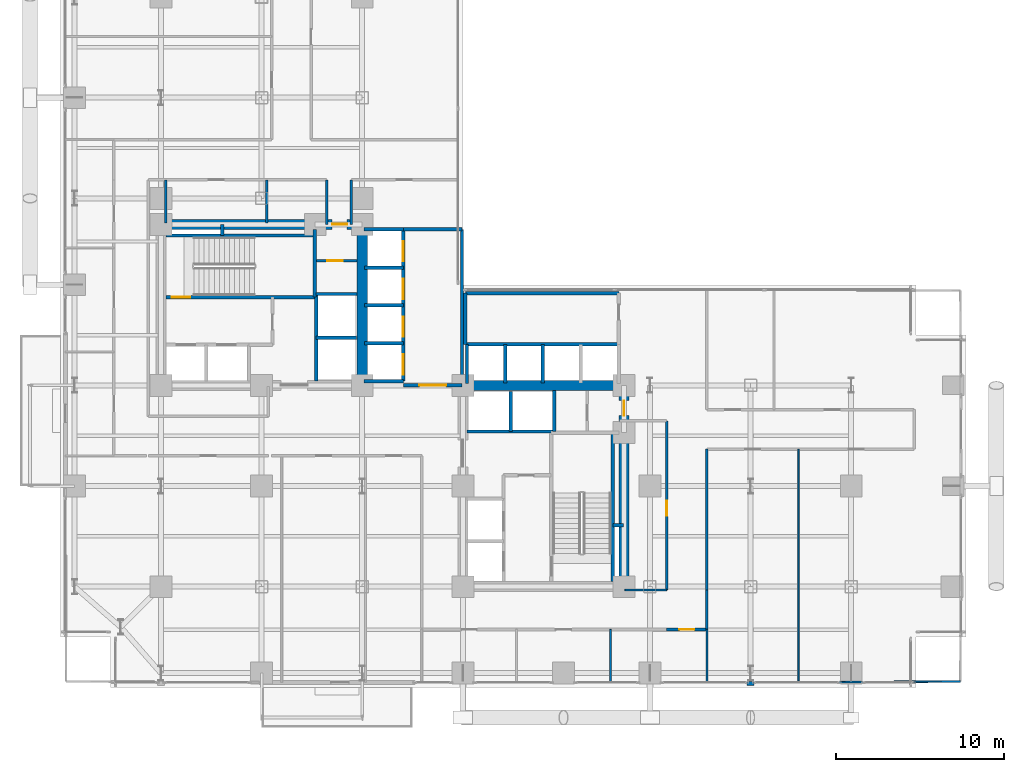
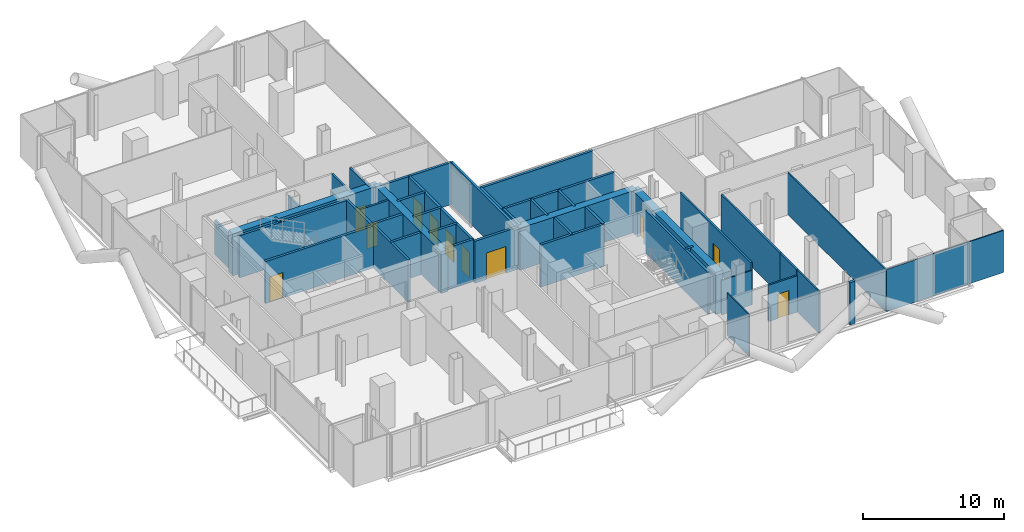
# One storey, part 21 of 25: 46 walls, 11 doors, 11 openings.
"""IFC4 building model written with IfcOpenShell, lengths in metres."""

from ifc_helpers import new_model, si_unit, direction, frame, frame_2d, origin, place, context, subcontext, project, spatial, rectangle, extrude, material, layer, layer_set, type_object, element, fill, save


model = new_model("IFC4")

# Units and contexts
model_context = context("Model", 3, precision=1e-05, world=origin(), true_north=direction((0.0, 1.0)))
body_context = subcontext(model_context, "Body", "Model", "MODEL_VIEW")
ifc_project = project(units=[si_unit("LENGTHUNIT", "METRE"), si_unit("AREAUNIT", "SQUARE_METRE"), si_unit("VOLUMEUNIT", "CUBIC_METRE"), si_unit("PLANEANGLEUNIT", "RADIAN"), si_unit("MASSUNIT", "GRAM", prefix="KILO"), si_unit("THERMODYNAMICTEMPERATUREUNIT", "KELVIN"), si_unit("POWERUNIT", "WATT")], contexts=[model_context])

# Site, building, storey
site_placement = place(None, origin())
site = spatial("IfcSite", under=ifc_project, at=site_placement, CompositionType="ELEMENT")
building_placement = place(site_placement, origin())
building = spatial("IfcBuilding", under=site, at=building_placement, Name="Svarakhadi Broadcast Tower", CompositionType="ELEMENT")
storey_placement = place(building_placement, frame((0.0, 0.0, 36.300048828125)))
storey = spatial("IfcBuildingStorey", under=building, at=storey_placement, Name="L07", CompositionType="ELEMENT", Elevation=36.300048828125)

# Walls
ifc_material_1 = material(Name="Concrete C40/50 (IS 456 M50)", Category="concrete")
ifc_layer_1 = layer(ifc_material_1, 0.239990234375)
ifc_layer_set_1 = layer_set([ifc_layer_1], Name="Concrete C40/50 (IS 456 M50)")
wall_type_1 = type_object("IfcWallType", Name="Wall_Ext_240", PredefinedType="SOLIDWALL", material=ifc_layer_set_1)
wall_1_placement = place(storey_placement, frame((41.364990234375, 0.239990234375, 0.0), z_axis=(0.0, 0.0, 1.0), x_axis=(-1.0, 0.0, 0.0)))
element("IfcWall", 1, at=wall_1_placement, inside=storey, type_object=wall_type_1, Name="L07 Perimeter Bronze Spandrel Closure Wall 05", PredefinedType="SOLIDWALL", context=body_context, shape_type="SweptSolid", body=[
    extrude(rectangle(XDim=0.429931640625, YDim=0.239990234375, at=frame_2d((0.21484375, 0.0))), origin(), (0.0, 0.0, 1.0), 3.64990234375),
])
ifc_layer_2 = layer(ifc_material_1, 0.199951171875)
ifc_layer_set_2 = layer_set([ifc_layer_2], Name="Concrete C40/50 (IS 456 M50)")
wall_type_2 = type_object("IfcWallType", Name="Wall_Fire_200", PredefinedType="SOLIDWALL", material=ifc_layer_set_2)
for number, where, z_axis, x_axis, name in (
    (2, (9.659912109375, 26.93994140625, 0.0), (0.0, 0.0, 1.0), (0.0, 1.0, 0.0), "L07 Wet Riser Shaft East Wall"),
    (3, (32.93994140625, 9.659912109375, 0.0), (0.0, 0.0, 1.0), (1.0, 0.0, 0.0), "L07 HV Busduct Riser Shaft North Wall"),
):
    element("IfcWall", number, at=place(storey_placement, frame(where, z_axis=z_axis, x_axis=x_axis)), inside=storey, type_object=wall_type_2, Name=name, PredefinedType="SOLIDWALL", context=body_context, shape_type="SweptSolid", body=[
        extrude(rectangle(XDim=0.64013671875, YDim=0.199951171875, at=frame_2d((0.320068359375, 0.0))), origin(), (0.0, 0.0, 1.0), 3.64990234375),
    ])
ifc_material_2 = material(Name="Fire-Rated Moisture-Resistant Gypsum Board Partition", Category="gypsum")
ifc_layer_3 = layer(ifc_material_2, 0.10009765625)
ifc_layer_set_3 = layer_set([ifc_layer_3], Name="Fire-Rated Moisture-Resistant Gypsum Board Partition")
wall_type_3 = type_object("IfcWallType", Name="Wall_Part_100", PredefinedType="PARTITIONING", material=ifc_layer_set_3)
wall_2_placement = place(storey_placement, frame((44.0, 0.300048828125, 0.0), z_axis=(0.0, 0.0, 1.0), x_axis=(0.0, 1.0, 0.0)))
element("IfcWall", 4, at=wall_2_placement, inside=storey, type_object=wall_type_3, Name="L07 Waterfront International News Desk Wall", PredefinedType="PARTITIONING", context=body_context, shape_type="SweptSolid", body=[
    extrude(rectangle(XDim=13.89990234375, YDim=0.10009765625, at=frame_2d((6.949951171875, 0.0))), origin(), (0.0, 0.0, 1.0), 3.64990234375),
])
wall_3_placement = place(storey_placement, frame((44.0, 0.300048828125, 0.0), z_axis=(0.0, 0.0, 1.0), x_axis=(0.99998655059, 0.005186389791, 0.0)))
element("IfcWall", 5, at=wall_3_placement, inside=storey, type_object=wall_type_3, Name="L07 Wire Service Server Room Wall", PredefinedType="PARTITIONING", context=body_context, shape_type="SweptSolid", body=[
    extrude(rectangle(XDim=9.650146484375, YDim=0.10009765625, at=frame_2d((4.8251953125, 0.0))), origin(), (0.0, 0.0, 1.0), 3.64990234375),
])
for number, where, z_axis, x_axis, name in (
    (6, (32.800048828125, 0.300048828125, 0.0), (0.0, 0.0, 1.0), (0.0, 1.0, 0.0), "L07 Media Legal Review Office Wall"),
    (7, (38.550048828125, 0.300048828125, 0.0), (0.0, 0.0, 1.0), (0.0, 1.0, 0.0), "L07 Broadcast Staff Refreshment Pantry Wall"),
):
    element("IfcWall", number, at=place(storey_placement, frame(where, z_axis=z_axis, x_axis=x_axis)), inside=storey, type_object=wall_type_3, Name=name, PredefinedType="PARTITIONING", context=body_context, shape_type="SweptSolid", body=[
        extrude(rectangle(XDim=3.14990234375, YDim=0.10009765625, at=frame_2d((1.574951171875, 0.0))), origin(), (0.0, 0.0, 1.0), 3.64990234375),
    ])
wall_4_placement = place(storey_placement, frame((33.64990234375, 5.800048828125, 0.0), z_axis=(0.0, 0.0, 1.0), x_axis=(1.0, 0.0, 0.0)))
element("IfcWall", 8, at=wall_4_placement, inside=storey, type_object=wall_type_3, Name="L07 Live Feed Monitoring Studio Wall", PredefinedType="PARTITIONING", context=body_context, shape_type="SweptSolid", body=[
    extrude(rectangle(XDim=2.5, YDim=0.10009765625, at=frame_2d((1.25, 0.0))), origin(), (0.0, 0.0, 1.0), 2.991943359375),
])

# Wall, opening, door
ifc_material_3 = material(Name="Autoclaved Aerated Concrete Blockwork 150 mm", Category="masonry")
ifc_layer_4 = layer(ifc_material_3, 0.14990234375)
ifc_layer_set_4 = layer_set([ifc_layer_4], Name="Autoclaved Aerated Concrete Blockwork 150 mm")
wall_type_4 = type_object("IfcWallType", Name="Wall_Part_150", PredefinedType="PARTITIONING", material=ifc_layer_set_4)
wall_5_placement = place(storey_placement, frame((15.280029296875, 25.43994140625, 0.0), z_axis=(0.0, 0.0, 1.0), x_axis=(1.0, 0.0, 0.0)))
wall_5 = element("IfcWall", 9, at=wall_5_placement, inside=storey, type_object=wall_type_4, Name="L07 West Core Dual Store Wall", PredefinedType="PARTITIONING", context=body_context, shape_type="SweptSolid", body=[
    extrude(rectangle(XDim=2.419921875, YDim=0.14990234375, at=frame_2d((1.2099609375, 0.0))), origin(), (0.0, 0.0, 1.0), 3.64990234375),
])
opening_1_placement = place(wall_5_placement, frame((0.64990234375, 0.0, 0.0)))
opening_1 = element("IfcOpeningElement", 10, at=opening_1_placement, cuts=wall_5, Name="Opening D-04", PredefinedType="OPENING", context=body_context, shape_type="SweptSolid", body=[
    extrude(rectangle(XDim=0.89990234375, YDim=2.14990234375, at=frame_2d((0.449951171875, 1.074951171875))), frame((0.0, 0.0849609375, 0.0), z_axis=(0.0, -1.0, 0.0), x_axis=(1.0, 0.0, 0.0)), (0.0, 0.0, 1.0), 0.169921875),
])
ifc_material_4 = material(Name="Galvanised Powder-Coated Fire-Rated Steel Leaf", Category="steel")
door_type_1 = type_object("IfcDoorType", Name="Door_Fire_D04", OperationType="SINGLE_SWING_RIGHT", PredefinedType="DOOR", material=ifc_material_4)
door_1_placement = place(opening_1_placement, origin())
door_1 = element("IfcDoor", 11, at=door_1_placement, inside=storey, type_object=door_type_1, Name="L07 West Core Store B Door", OperationType="SINGLE_SWING_RIGHT", OverallHeight=2.14990234375, OverallWidth=0.89990234375, PredefinedType="DOOR", context=body_context, shape_type="SweptSolid", body=[
    extrude(rectangle(XDim=0.89990234375, YDim=2.14990234375, at=frame_2d((0.449951171875, 1.074951171875))), frame((0.0, 0.02490234375, 0.0), z_axis=(0.0, -1.0, 0.0), x_axis=(1.0, 0.0, 0.0)), (0.0, 0.0, 1.0), 0.050048828125),
])
fill(opening_1, door_1)

wall_6_placement = place(storey_placement, frame((36.14990234375, 5.800048828125, 0.0), z_axis=(0.0, 0.0, 1.0), x_axis=(0.0, 1.0, 0.0)))
wall_6 = element("IfcWall", 12, at=wall_6_placement, inside=storey, type_object=wall_type_4, Name="L07 Broadcast Corridor Wall", PredefinedType="PARTITIONING", context=body_context, shape_type="SweptSolid", body=[
    extrude(rectangle(XDim=10.079833984375, YDim=0.14990234375, at=frame_2d((5.0400390625, 0.0))), origin(), (0.0, 0.0, 1.0), 3.64990234375),
])
opening_2_placement = place(wall_6_placement, frame((4.429931640625, 0.0, 0.0)))
opening_2 = element("IfcOpeningElement", 13, at=opening_2_placement, cuts=wall_6, Name="Opening D-14", PredefinedType="OPENING", context=body_context, shape_type="SweptSolid", body=[
    extrude(rectangle(XDim=0.89990234375, YDim=2.10009765625, at=frame_2d((0.449951171875, 1.050048828125))), frame((0.0, 0.0849609375, 0.0), z_axis=(0.0, -1.0, 0.0), x_axis=(1.0, 0.0, 0.0)), (0.0, 0.0, 1.0), 0.169921875),
])
ifc_material_5 = material(Name="Solid-Core Teak Veneer Acoustic Timber Leaf", Category="wood")
door_type_2 = type_object("IfcDoorType", Name="Door_Int_D14", OperationType="SINGLE_SWING_LEFT", PredefinedType="DOOR", material=ifc_material_5)
door_2_placement = place(opening_2_placement, origin())
door_2 = element("IfcDoor", 14, at=door_2_placement, inside=storey, type_object=door_type_2, Name="L07 Live Feed Monitoring Studio Door", OperationType="SINGLE_SWING_LEFT", OverallHeight=2.10009765625, OverallWidth=0.89990234375, PredefinedType="DOOR", context=body_context, shape_type="SweptSolid", body=[
    extrude(rectangle(XDim=0.89990234375, YDim=2.10009765625, at=frame_2d((0.449951171875, 1.050048828125))), frame((0.0, 0.02490234375, 0.0), z_axis=(0.0, -1.0, 0.0), x_axis=(1.0, 0.0, 0.0)), (0.0, 0.0, 1.0), 0.050048828125),
])
fill(opening_2, door_2)

# Walls
wall_7_placement = place(storey_placement, frame((38.550048828125, 14.199951171875, 0.0), z_axis=(0.0, 0.0, 1.0), x_axis=(0.0, -1.0, 0.0)))
element("IfcWall", 15, at=wall_7_placement, inside=storey, type_object=wall_type_4, Name="L07 Broadcast Corridor Wall", PredefinedType="PARTITIONING", context=body_context, shape_type="SweptSolid", body=[
    extrude(rectangle(XDim=8.39990234375, YDim=0.14990234375, at=frame_2d((4.199951171875, 0.0))), origin(), (0.0, 0.0, 1.0), 3.64990234375),
])
wall_8_placement = place(storey_placement, frame((38.550048828125, 5.800048828125, 0.0), z_axis=(0.0, 0.0, 1.0), x_axis=(0.0, -1.0, 0.0)))
element("IfcWall", 16, at=wall_8_placement, inside=storey, type_object=wall_type_4, Name="L07 Broadcast Corridor Wall", PredefinedType="PARTITIONING", context=body_context, shape_type="SweptSolid", body=[
    extrude(rectangle(XDim=2.35009765625, YDim=0.14990234375, at=frame_2d((1.175048828125, 0.0))), origin(), (0.0, 0.0, 1.0), 3.64990234375),
])

# Wall, opening, door
wall_9_placement = place(storey_placement, frame((38.550048828125, 3.449951171875, 0.0), z_axis=(0.0, 0.0, 1.0), x_axis=(-1.0, 0.0, 0.0)))
wall_9 = element("IfcWall", 17, at=wall_9_placement, inside=storey, type_object=wall_type_4, Name="L07 Broadcast Corridor Wall", PredefinedType="PARTITIONING", context=body_context, shape_type="SweptSolid", body=[
    extrude(rectangle(XDim=2.400146484375, YDim=0.14990234375, at=frame_2d((1.2001953125, 0.0))), origin(), (0.0, 0.0, 1.0), 3.141845703125),
])
opening_3_placement = place(wall_9_placement, frame((0.75, 0.0, 0.0)))
opening_3 = element("IfcOpeningElement", 18, at=opening_3_placement, cuts=wall_9, Name="Opening D-14", PredefinedType="OPENING", context=body_context, shape_type="SweptSolid", body=[
    extrude(rectangle(XDim=0.89990234375, YDim=2.10009765625, at=frame_2d((0.449951171875, 1.050048828125))), frame((0.0, 0.0849609375, 0.0), z_axis=(0.0, -1.0, 0.0), x_axis=(1.0, 0.0, 0.0)), (0.0, 0.0, 1.0), 0.169921875),
])
door_3_placement = place(opening_3_placement, origin())
door_3 = element("IfcDoor", 19, at=door_3_placement, inside=storey, type_object=door_type_2, Name="L07 Broadcast Staff Refreshment Pantry Door", OperationType="SINGLE_SWING_LEFT", OverallHeight=2.10009765625, OverallWidth=0.89990234375, PredefinedType="DOOR", context=body_context, shape_type="SweptSolid", body=[
    extrude(rectangle(XDim=0.89990234375, YDim=2.10009765625, at=frame_2d((0.449951171875, 1.050048828125))), frame((0.0, 0.02490234375, 0.0), z_axis=(0.0, -1.0, 0.0), x_axis=(1.0, 0.0, 0.0)), (0.0, 0.0, 1.0), 0.050048828125),
])
fill(opening_3, door_3)

# Walls
for number, where, z_axis, x_axis, name in (
    (20, (17.35009765625, 30.25, 0.0), (0.0, 0.0, 1.0), (0.0, -1.0, 0.0), "L07 Broadcast Corridor Wall"),
    (21, (15.8798828125, 27.580078125, 0.0), (0.0, 0.0, 1.0), (0.0, 1.0, 0.0), "L07 Broadcast Corridor Wall"),
):
    element("IfcWall", number, at=place(storey_placement, frame(where, z_axis=z_axis, x_axis=x_axis)), inside=storey, type_object=wall_type_4, Name=name, PredefinedType="PARTITIONING", context=body_context, shape_type="SweptSolid", body=[
        extrude(rectangle(XDim=2.669921875, YDim=0.14990234375, at=frame_2d((1.3349609375, 0.0))), origin(), (0.0, 0.0, 1.0), 3.64990234375),
    ])
for number, where, z_axis, x_axis, name in (
    (22, (6.300048828125, 27.679931640625, 0.0), (0.0, 0.0, 1.0), (0.0, 1.0, 0.0), "L07 Accessible Toilet WC Wall"),
    (23, (12.300048828125, 27.679931640625, 0.0), (0.0, 0.0, 1.0), (0.0, 1.0, 0.0), "L07 Accessible Toilet WC Wall"),
):
    element("IfcWall", number, at=place(storey_placement, frame(where, z_axis=z_axis, x_axis=x_axis)), inside=storey, type_object=wall_type_4, Name=name, PredefinedType="PARTITIONING", context=body_context, shape_type="SweptSolid", body=[
        extrude(rectangle(XDim=2.570068359375, YDim=0.14990234375, at=frame_2d((1.28515625, 0.0))), origin(), (0.0, 0.0, 1.0), 2.991943359375),
    ])

# Wall, opening, door
ifc_material_6 = material(Name="Concrete C50/60 (IS 456 M60)", Category="concrete")
ifc_layer_5 = layer(ifc_material_6, 0.199951171875)
ifc_layer_set_5 = layer_set([ifc_layer_5], Name="Concrete C50/60 (IS 456 M60)")
wall_type_5 = type_object("IfcWallType", Name="Wall_Shear_200", PredefinedType="SHEAR", material=ifc_layer_set_5)
wall_10_placement = place(storey_placement, frame((6.300048828125, 23.260009765625, 0.0), z_axis=(0.0, 0.0, 1.0), x_axis=(1.0, 0.0, 0.0)))
wall_10 = element("IfcWall", 24, at=wall_10_placement, inside=storey, type_object=wall_type_5, Name="L07 Stair ST-01 South RC Shaft Wall", PredefinedType="SHEAR", context=body_context, shape_type="SweptSolid", body=[
    extrude(rectangle(XDim=8.8798828125, YDim=0.199951171875, at=frame_2d((4.43994140625, 0.0))), origin(), (0.0, 0.0, 1.0), 3.64990234375),
])
opening_4_placement = place(wall_10_placement, frame((0.35009765625, 0.0, 0.0)))
opening_4 = element("IfcOpeningElement", 25, at=opening_4_placement, cuts=wall_10, Name="Opening D-01", PredefinedType="OPENING", context=body_context, shape_type="SweptSolid", body=[
    extrude(rectangle(XDim=1.10009765625, YDim=2.199951171875, at=frame_2d((0.550048828125, 1.10009765625))), frame((0.0, 0.10986328125, 0.0), z_axis=(0.0, -1.0, 0.0), x_axis=(1.0, 0.0, 0.0)), (0.0, 0.0, 1.0), 0.219970703125),
])
door_type_3 = type_object("IfcDoorType", Name="Door_Stair_D01", OperationType="SINGLE_SWING_LEFT", PredefinedType="DOOR", material=ifc_material_4)
door_4_placement = place(opening_4_placement, origin())
door_4 = element("IfcDoor", 26, at=door_4_placement, inside=storey, type_object=door_type_3, Name="L07 Protected Exit Stair ST-01 Fire Door", OperationType="SINGLE_SWING_LEFT", OverallHeight=2.199951171875, OverallWidth=1.10009765625, PredefinedType="DOOR", context=body_context, shape_type="SweptSolid", body=[
    extrude(rectangle(XDim=1.10009765625, YDim=2.199951171875, at=frame_2d((0.550048828125, 1.10009765625))), frame((0.0, 0.02490234375, 0.0), z_axis=(0.0, -1.0, 0.0), x_axis=(1.0, 0.0, 0.0)), (0.0, 0.0, 1.0), 0.050048828125),
])
fill(opening_4, door_4)

# Walls
wall_11_placement = place(storey_placement, frame((6.300048828125, 26.93994140625, 0.0), z_axis=(0.0, 0.0, 1.0), x_axis=(1.0, 0.0, 0.0)))
element("IfcWall", 27, at=wall_11_placement, inside=storey, type_object=wall_type_5, Name="L07 Stair ST-01 North RC Shaft Wall", PredefinedType="SHEAR", context=body_context, shape_type="SweptSolid", body=[
    extrude(rectangle(XDim=8.8798828125, YDim=0.199951171875, at=frame_2d((4.43994140625, 0.0))), origin(), (0.0, 0.0, 1.0), 3.64990234375),
])
wall_12_placement = place(storey_placement, frame((15.179931640625, 23.260009765625, 0.0), z_axis=(0.0, 0.0, 1.0), x_axis=(0.0, 1.0, 0.0)))
element("IfcWall", 28, at=wall_12_placement, inside=storey, type_object=wall_type_5, Name="L07 Stair ST-01 East RC Shaft Wall", PredefinedType="SHEAR", context=body_context, shape_type="SweptSolid", body=[
    extrude(rectangle(XDim=4.0400390625, YDim=0.199951171875, at=frame_2d((2.02001953125, 0.0))), origin(), (0.0, 0.0, 1.0), 3.64990234375),
])
wall_13_placement = place(storey_placement, frame((32.93994140625, 6.300048828125, 0.0), z_axis=(0.0, 0.0, 1.0), x_axis=(0.0, 1.0, 0.0)))
element("IfcWall", 29, at=wall_13_placement, inside=storey, type_object=wall_type_5, Name="L07 Stair ST-02 East RC Shaft Wall", PredefinedType="SHEAR", context=body_context, shape_type="SweptSolid", body=[
    extrude(rectangle(XDim=8.8798828125, YDim=0.199951171875, at=frame_2d((4.43994140625, 0.0))), origin(), (0.0, 0.0, 1.0), 3.64990234375),
])
wall_14_placement = place(storey_placement, frame((15.25, 18.25, 0.0), z_axis=(0.0, 0.0, 1.0), x_axis=(0.0, 1.0, 0.0)))
element("IfcWall", 30, at=wall_14_placement, inside=storey, type_object=wall_type_5, Name="L07 High-Rise Lift LF-13/14 West Shaft Wall", PredefinedType="SHEAR", context=body_context, shape_type="SweptSolid", body=[
    extrude(rectangle(XDim=5.199951171875, YDim=0.199951171875, at=frame_2d((2.60009765625, 0.0))), origin(), (0.0, 0.0, 1.0), 3.64990234375),
])
wall_15_placement = place(storey_placement, frame((15.25, 20.85009765625, 0.0), z_axis=(0.0, 0.0, 1.0), x_axis=(1.0, 0.0, 0.0)))
element("IfcWall", 31, at=wall_15_placement, inside=storey, type_object=wall_type_5, Name="L07 High-Rise Lift LF-13/14 Divider", PredefinedType="SHEAR", context=body_context, shape_type="SweptSolid", body=[
    extrude(rectangle(XDim=2.39990234375, YDim=0.199951171875, at=frame_2d((1.199951171875, 0.0))), origin(), (0.0, 0.0, 1.0), 3.64990234375),
])
wall_16_placement = place(storey_placement, frame((15.25, 23.449951171875, 0.0), z_axis=(0.0, 0.0, 1.0), x_axis=(1.0, 0.0, 0.0)))
element("IfcWall", 32, at=wall_16_placement, inside=storey, type_object=wall_type_5, Name="L07 High-Rise Lift LF-13/14 North Wall", PredefinedType="SHEAR", context=body_context, shape_type="SweptSolid", body=[
    extrude(rectangle(XDim=2.449951171875, YDim=0.199951171875, at=frame_2d((1.22509765625, 0.0))), origin(), (0.0, 0.0, 1.0), 3.64990234375),
])
wall_17_placement = place(storey_placement, frame((24.25, 15.25, 0.0), z_axis=(0.0, 0.0, 1.0), x_axis=(1.0, 0.0, 0.0)))
element("IfcWall", 33, at=wall_17_placement, inside=storey, type_object=wall_type_5, Name="L07 High-Rise Lift LF-15/16 South Shaft Wall", PredefinedType="SHEAR", context=body_context, shape_type="SweptSolid", body=[
    extrude(rectangle(XDim=5.199951171875, YDim=0.199951171875, at=frame_2d((2.60009765625, 0.0))), origin(), (0.0, 0.0, 1.0), 3.64990234375),
])
wall_18_placement = place(storey_placement, frame((26.85009765625, 15.25, 0.0), z_axis=(0.0, 0.0, 1.0), x_axis=(0.0, 1.0, 0.0)))
element("IfcWall", 34, at=wall_18_placement, inside=storey, type_object=wall_type_5, Name="L07 High-Rise Lift LF-15/16 Divider", PredefinedType="SHEAR", context=body_context, shape_type="SweptSolid", body=[
    extrude(rectangle(XDim=2.39990234375, YDim=0.199951171875, at=frame_2d((1.199951171875, 0.0))), origin(), (0.0, 0.0, 1.0), 3.64990234375),
])
wall_19_placement = place(storey_placement, frame((29.449951171875, 15.25, 0.0), z_axis=(0.0, 0.0, 1.0), x_axis=(0.0, 1.0, 0.0)))
element("IfcWall", 35, at=wall_19_placement, inside=storey, type_object=wall_type_5, Name="L07 High-Rise Lift LF-15/16 East Wall", PredefinedType="SHEAR", context=body_context, shape_type="SweptSolid", body=[
    extrude(rectangle(XDim=2.449951171875, YDim=0.199951171875, at=frame_2d((1.22509765625, 0.0))), origin(), (0.0, 0.0, 1.0), 3.64990234375),
])
for number, where, z_axis, x_axis, name in (
    (36, (18.10009765625, 27.300048828125, 0.0), (0.0, 0.0, 1.0), (1.0, 0.0, 0.0), "L07 Bank A North Shaft Wall"),
    (37, (18.10009765625, 18.25, 0.0), (0.0, 0.0, 1.0), (1.0, 0.0, 0.0), "L07 Bank A South Shaft Wall"),
):
    element("IfcWall", number, at=place(storey_placement, frame(where, z_axis=z_axis, x_axis=x_axis)), inside=storey, type_object=wall_type_5, Name=name, PredefinedType="SHEAR", context=body_context, shape_type="SweptSolid", body=[
        extrude(rectangle(XDim=2.349853515625, YDim=0.199951171875, at=frame_2d((1.1748046875, 0.0))), origin(), (0.0, 0.0, 1.0), 3.64990234375),
    ])

# Wall, openings, doors
wall_20_placement = place(storey_placement, frame((20.449951171875, 18.25, 0.0), z_axis=(0.0, 0.0, 1.0), x_axis=(0.0, 1.0, 0.0)))
wall_20 = element("IfcWall", 38, at=wall_20_placement, inside=storey, type_object=wall_type_5, Name="L07 Bank A East Landing Wall", PredefinedType="SHEAR", context=body_context, shape_type="SweptSolid", body=[
    extrude(rectangle(XDim=9.050048828125, YDim=0.199951171875, at=frame_2d((4.52490234375, 0.0))), origin(), (0.0, 0.0, 1.0), 3.64990234375),
])
opening_5_placement = place(wall_20_placement, frame((0.39990234375, 0.0, 0.0)))
opening_5 = element("IfcOpeningElement", 39, at=opening_5_placement, cuts=wall_20, Name="Opening LD-02", PredefinedType="OPENING", context=body_context, shape_type="SweptSolid", body=[
    extrude(rectangle(XDim=1.199951171875, YDim=2.199951171875, at=frame_2d((0.60009765625, 1.10009765625))), frame((0.0, 0.10986328125, 0.0), z_axis=(0.0, -1.0, 0.0), x_axis=(1.0, 0.0, 0.0)), (0.0, 0.0, 1.0), 0.219970703125),
])
opening_6_placement = place(wall_20_placement, frame((2.64990234375, 0.0, 0.0)))
opening_6 = element("IfcOpeningElement", 40, at=opening_6_placement, cuts=wall_20, Name="Opening LD-02", PredefinedType="OPENING", context=body_context, shape_type="SweptSolid", body=[
    extrude(rectangle(XDim=1.199951171875, YDim=2.199951171875, at=frame_2d((0.60009765625, 1.10009765625))), frame((0.0, 0.10986328125, 0.0), z_axis=(0.0, -1.0, 0.0), x_axis=(1.0, 0.0, 0.0)), (0.0, 0.0, 1.0), 0.219970703125),
])
opening_7_placement = place(wall_20_placement, frame((4.89990234375, 0.0, 0.0)))
opening_7 = element("IfcOpeningElement", 41, at=opening_7_placement, cuts=wall_20, Name="Opening LD-02", PredefinedType="OPENING", context=body_context, shape_type="SweptSolid", body=[
    extrude(rectangle(XDim=1.199951171875, YDim=2.199951171875, at=frame_2d((0.60009765625, 1.10009765625))), frame((0.0, 0.10986328125, 0.0), z_axis=(0.0, -1.0, 0.0), x_axis=(1.0, 0.0, 0.0)), (0.0, 0.0, 1.0), 0.219970703125),
])
opening_8_placement = place(wall_20_placement, frame((7.14990234375, 0.0, 0.0)))
opening_8 = element("IfcOpeningElement", 42, at=opening_8_placement, cuts=wall_20, Name="Opening LD-02", PredefinedType="OPENING", context=body_context, shape_type="SweptSolid", body=[
    extrude(rectangle(XDim=1.199951171875, YDim=2.199951171875, at=frame_2d((0.60009765625, 1.10009765625))), frame((0.0, 0.10986328125, 0.0), z_axis=(0.0, -1.0, 0.0), x_axis=(1.0, 0.0, 0.0)), (0.0, 0.0, 1.0), 0.219970703125),
])
door_type_4 = type_object("IfcDoorType", Name="Door_Lift_LD02", OperationType="SLIDING_TO_RIGHT", PredefinedType="DOOR", material=ifc_material_4)
door_5_placement = place(opening_5_placement, origin())
door_5 = element("IfcDoor", 43, at=door_5_placement, inside=storey, type_object=door_type_4, Name="L07 Low-Rise Lift LF-05 Landing Door", OperationType="SLIDING_TO_RIGHT", OverallHeight=2.199951171875, OverallWidth=1.199951171875, PredefinedType="DOOR", context=body_context, shape_type="SweptSolid", body=[
    extrude(rectangle(XDim=1.199951171875, YDim=2.199951171875, at=frame_2d((0.60009765625, 1.10009765625))), frame((0.0, 0.02490234375, 0.0), z_axis=(0.0, -1.0, 0.0), x_axis=(1.0, 0.0, 0.0)), (0.0, 0.0, 1.0), 0.050048828125),
])
fill(opening_5, door_5)
door_6_placement = place(opening_6_placement, origin())
door_6 = element("IfcDoor", 44, at=door_6_placement, inside=storey, type_object=door_type_4, Name="L07 Low-Rise Lift LF-06 Landing Door", OperationType="SLIDING_TO_RIGHT", OverallHeight=2.199951171875, OverallWidth=1.199951171875, PredefinedType="DOOR", context=body_context, shape_type="SweptSolid", body=[
    extrude(rectangle(XDim=1.199951171875, YDim=2.199951171875, at=frame_2d((0.60009765625, 1.10009765625))), frame((0.0, 0.02490234375, 0.0), z_axis=(0.0, -1.0, 0.0), x_axis=(1.0, 0.0, 0.0)), (0.0, 0.0, 1.0), 0.050048828125),
])
fill(opening_6, door_6)
door_7_placement = place(opening_7_placement, origin())
door_7 = element("IfcDoor", 45, at=door_7_placement, inside=storey, type_object=door_type_4, Name="L07 Low-Rise Lift LF-07 Landing Door", OperationType="SLIDING_TO_RIGHT", OverallHeight=2.199951171875, OverallWidth=1.199951171875, PredefinedType="DOOR", context=body_context, shape_type="SweptSolid", body=[
    extrude(rectangle(XDim=1.199951171875, YDim=2.199951171875, at=frame_2d((0.60009765625, 1.10009765625))), frame((0.0, 0.02490234375, 0.0), z_axis=(0.0, -1.0, 0.0), x_axis=(1.0, 0.0, 0.0)), (0.0, 0.0, 1.0), 0.050048828125),
])
fill(opening_7, door_7)
door_8_placement = place(opening_8_placement, origin())
door_8 = element("IfcDoor", 46, at=door_8_placement, inside=storey, type_object=door_type_4, Name="L07 Low-Rise Lift LF-08 Landing Door", OperationType="SLIDING_TO_RIGHT", OverallHeight=2.199951171875, OverallWidth=1.199951171875, PredefinedType="DOOR", context=body_context, shape_type="SweptSolid", body=[
    extrude(rectangle(XDim=1.199951171875, YDim=2.199951171875, at=frame_2d((0.60009765625, 1.10009765625))), frame((0.0, 0.02490234375, 0.0), z_axis=(0.0, -1.0, 0.0), x_axis=(1.0, 0.0, 0.0)), (0.0, 0.0, 1.0), 0.050048828125),
])
fill(opening_8, door_8)

# Walls
for number, where, z_axis, x_axis, name in (
    (47, (18.14990234375, 20.52001953125, 0.0), (0.0, 0.0, 1.0), (1.0, 0.0, 0.0), "L07 Bank A Divider"),
    (48, (18.14990234375, 22.77001953125, 0.0), (0.0, 0.0, 1.0), (1.0, 0.0, 0.0), "L07 Bank A Divider"),
    (49, (18.14990234375, 25.02001953125, 0.0), (0.0, 0.0, 1.0), (1.0, 0.0, 0.0), "L07 Bank A Divider"),
):
    element("IfcWall", number, at=place(storey_placement, frame(where, z_axis=z_axis, x_axis=x_axis)), inside=storey, type_object=wall_type_5, Name=name, PredefinedType="SHEAR", context=body_context, shape_type="SweptSolid", body=[
        extrude(rectangle(XDim=2.300048828125, YDim=0.199951171875, at=frame_2d((1.14990234375, 0.0))), origin(), (0.0, 0.0, 1.0), 3.64990234375),
    ])

# Wall, opening, door
wall_21_placement = place(storey_placement, frame((20.449951171875, 18.0, 0.0), z_axis=(0.0, 0.0, 1.0), x_axis=(1.0, 0.0, 0.0)))
wall_21 = element("IfcWall", 50, at=wall_21_placement, inside=storey, type_object=wall_type_5, Name="L07 Bank A Lift Hall South Wall", PredefinedType="SHEAR", context=body_context, shape_type="SweptSolid", body=[
    extrude(rectangle(XDim=3.5, YDim=0.199951171875, at=frame_2d((1.75, 0.0))), origin(), (0.0, 0.0, 1.0), 3.64990234375),
])
opening_9_placement = place(wall_21_placement, frame((0.949951171875, 0.0, 0.0)))
opening_9 = element("IfcOpeningElement", 51, at=opening_9_placement, cuts=wall_21, Name="Opening D-05", PredefinedType="OPENING", context=body_context, shape_type="SweptSolid", body=[
    extrude(rectangle(XDim=1.60009765625, YDim=2.300048828125, at=frame_2d((0.800048828125, 1.14990234375))), frame((0.0, 0.10986328125, 0.0), z_axis=(0.0, -1.0, 0.0), x_axis=(1.0, 0.0, 0.0)), (0.0, 0.0, 1.0), 0.219970703125),
])
ifc_material_7 = material(Name="Anodised Bronze Aluminium AA 6063-T6", Category="aluminium")
door_type_5 = type_object("IfcDoorType", Name="Door_Lobby_D05", OperationType="DOUBLE_DOOR_SLIDING", PredefinedType="DOOR", material=ifc_material_7)
door_9_placement = place(opening_9_placement, origin())
door_9 = element("IfcDoor", 52, at=door_9_placement, inside=storey, type_object=door_type_5, Name="L07 Low-Rise Lift Hall Corridor Door", OperationType="DOUBLE_DOOR_SLIDING", OverallHeight=2.300048828125, OverallWidth=1.60009765625, PredefinedType="DOOR", context=body_context, shape_type="SweptSolid", body=[
    extrude(rectangle(XDim=1.60009765625, YDim=2.300048828125, at=frame_2d((0.800048828125, 1.14990234375))), frame((0.0, 0.02490234375, 0.0), z_axis=(0.0, -1.0, 0.0), x_axis=(1.0, 0.0, 0.0)), (0.0, 0.0, 1.0), 0.050048828125),
])
fill(opening_9, door_9)

# Walls
wall_22_placement = place(storey_placement, frame((20.449951171875, 27.300048828125, 0.0), z_axis=(0.0, 0.0, 1.0), x_axis=(1.0, 0.0, 0.0)))
element("IfcWall", 53, at=wall_22_placement, inside=storey, type_object=wall_type_5, Name="L07 Bank A Lift Hall North Wall", PredefinedType="SHEAR", context=body_context, shape_type="SweptSolid", body=[
    extrude(rectangle(XDim=3.5, YDim=0.199951171875, at=frame_2d((1.75, 0.0))), origin(), (0.0, 0.0, 1.0), 3.64990234375),
])
wall_23_placement = place(storey_placement, frame((23.949951171875, 18.0, 0.0), z_axis=(0.0, 0.0, 1.0), x_axis=(0.0, 1.0, 0.0)))
element("IfcWall", 54, at=wall_23_placement, inside=storey, type_object=wall_type_5, Name="L07 Bank A Lift Hall East Wall", PredefinedType="SHEAR", context=body_context, shape_type="SweptSolid", body=[
    extrude(rectangle(XDim=9.300048828125, YDim=0.199951171875, at=frame_2d((4.64990234375, 0.0))), origin(), (0.0, 0.0, 1.0), 3.64990234375),
])
wall_24_placement = place(storey_placement, frame((24.25, 18.10009765625, 0.0), z_axis=(0.0, 0.0, 1.0), x_axis=(0.0, 1.0, 0.0)))
element("IfcWall", 55, at=wall_24_placement, inside=storey, type_object=wall_type_5, Name="L07 Bank B West Shaft Wall", PredefinedType="SHEAR", context=body_context, shape_type="SweptSolid", body=[
    extrude(rectangle(XDim=2.349853515625, YDim=0.199951171875, at=frame_2d((1.1748046875, 0.0))), origin(), (0.0, 0.0, 1.0), 3.64990234375),
])
wall_25_placement = place(storey_placement, frame((24.25, 20.449951171875, 0.0), z_axis=(0.0, 0.0, 1.0), x_axis=(1.0, 0.0, 0.0)))
element("IfcWall", 56, at=wall_25_placement, inside=storey, type_object=wall_type_5, Name="L07 Bank B North Landing Wall", PredefinedType="SHEAR", context=body_context, shape_type="SweptSolid", body=[
    extrude(rectangle(XDim=9.050048828125, YDim=0.199951171875, at=frame_2d((4.52490234375, 0.0))), origin(), (0.0, 0.0, 1.0), 3.64990234375),
])
for number, where, z_axis, x_axis, name in (
    (57, (26.52001953125, 18.14990234375, 0.0), (0.0, 0.0, 1.0), (0.0, 1.0, 0.0), "L07 Bank B Divider"),
    (58, (28.77001953125, 18.14990234375, 0.0), (0.0, 0.0, 1.0), (0.0, 1.0, 0.0), "L07 Bank B Divider"),
):
    element("IfcWall", number, at=place(storey_placement, frame(where, z_axis=z_axis, x_axis=x_axis)), inside=storey, type_object=wall_type_5, Name=name, PredefinedType="SHEAR", context=body_context, shape_type="SweptSolid", body=[
        extrude(rectangle(XDim=2.300048828125, YDim=0.199951171875, at=frame_2d((1.14990234375, 0.0))), origin(), (0.0, 0.0, 1.0), 3.64990234375),
    ])
wall_26_placement = place(storey_placement, frame((24.14990234375, 23.5, 0.0), z_axis=(0.0, 0.0, 1.0), x_axis=(1.0, 0.0, 0.0)))
element("IfcWall", 59, at=wall_26_placement, inside=storey, type_object=wall_type_5, Name="L07 Bank B Lift Hall North Wall", PredefinedType="SHEAR", context=body_context, shape_type="SweptSolid", body=[
    extrude(rectangle(XDim=9.150146484375, YDim=0.199951171875, at=frame_2d((4.5751953125, 0.0))), origin(), (0.0, 0.0, 1.0), 3.64990234375),
])
wall_27_placement = place(storey_placement, frame((24.14990234375, 20.449951171875, 0.0), z_axis=(0.0, 0.0, 1.0), x_axis=(0.0, 1.0, 0.0)))
element("IfcWall", 60, at=wall_27_placement, inside=storey, type_object=wall_type_5, Name="L07 Bank B Lift Hall West Wall", PredefinedType="SHEAR", context=body_context, shape_type="SweptSolid", body=[
    extrude(rectangle(XDim=3.050048828125, YDim=0.199951171875, at=frame_2d((1.52490234375, 0.0))), origin(), (0.0, 0.0, 1.0), 3.64990234375),
])

# Wall, opening, door
ifc_material_8 = material(Name="Concrete C60/75 (IS 456 M70)", Category="concrete")
ifc_layer_6 = layer(ifc_material_8, 0.60009765625)
ifc_layer_set_6 = layer_set([ifc_layer_6], Name="Concrete C60/75 (IS 456 M70)")
wall_type_6 = type_object("IfcWallType", Name="Wall_Shear_600", PredefinedType="SHEAR", material=ifc_layer_set_6)
wall_28_placement = place(storey_placement, frame((6.0, 27.60009765625, 0.0), z_axis=(0.0, 0.0, 1.0), x_axis=(1.0, 0.0, 0.0)))
wall_28 = element("IfcWall", 61, at=wall_28_placement, inside=storey, type_object=wall_type_6, Name="L07 West Core North Shear Wall", PredefinedType="SHEAR", context=body_context, shape_type="SweptSolid", body=[
    extrude(rectangle(XDim=12.0, YDim=0.60009765625, at=frame_2d((6.0, 0.0))), origin(), (0.0, 0.0, 1.0), 3.64990234375),
])
opening_10_placement = place(wall_28_placement, frame((10.199951171875, 0.0, 0.0)))
opening_10 = element("IfcOpeningElement", 62, at=opening_10_placement, cuts=wall_28, Name="Opening D-03", PredefinedType="OPENING", context=body_context, shape_type="SweptSolid", body=[
    extrude(rectangle(XDim=0.89990234375, YDim=2.14990234375, at=frame_2d((0.449951171875, 1.074951171875))), frame((0.0, 0.31005859375, 0.0), z_axis=(0.0, -1.0, 0.0), x_axis=(1.0, 0.0, 0.0)), (0.0, 0.0, 1.0), 0.6201171875),
])
door_type_6 = type_object("IfcDoorType", Name="Door_Fire_D03", OperationType="SINGLE_SWING_LEFT", PredefinedType="DOOR", material=ifc_material_4)
door_10_placement = place(opening_10_placement, origin())
door_10 = element("IfcDoor", 63, at=door_10_placement, inside=storey, type_object=door_type_6, Name="L07 West Core Store A Door", OperationType="SINGLE_SWING_LEFT", OverallHeight=2.14990234375, OverallWidth=0.89990234375, PredefinedType="DOOR", context=body_context, shape_type="SweptSolid", body=[
    extrude(rectangle(XDim=0.89990234375, YDim=2.14990234375, at=frame_2d((0.449951171875, 1.074951171875))), frame((0.0, 0.02490234375, 0.0), z_axis=(0.0, -1.0, 0.0), x_axis=(1.0, 0.0, 0.0)), (0.0, 0.0, 1.0), 0.050048828125),
])
fill(opening_10, door_10)

# Walls
for number, where, z_axis, x_axis, name in (
    (64, (18.0, 18.0, 0.0), (0.0, 0.0, 1.0), (0.0, 1.0, 0.0), "L07 West Core East Shear Wall"),
    (65, (24.0, 18.0, 0.0), (0.0, 0.0, 1.0), (1.0, 0.0, 0.0), "L07 East Core North Shear Wall"),
):
    element("IfcWall", number, at=place(storey_placement, frame(where, z_axis=z_axis, x_axis=x_axis)), inside=storey, type_object=wall_type_6, Name=name, PredefinedType="SHEAR", context=body_context, shape_type="SweptSolid", body=[
        extrude(rectangle(XDim=9.60009765625, YDim=0.60009765625, at=frame_2d((4.800048828125, 0.0))), origin(), (0.0, 0.0, 1.0), 3.64990234375),
    ])

# Wall, opening, door
wall_29_placement = place(storey_placement, frame((33.60009765625, 6.0, 0.0), z_axis=(0.0, 0.0, 1.0), x_axis=(0.0, 1.0, 0.0)))
wall_29 = element("IfcWall", 66, at=wall_29_placement, inside=storey, type_object=wall_type_6, Name="L07 East Core East Shear Wall", PredefinedType="SHEAR", context=body_context, shape_type="SweptSolid", body=[
    extrude(rectangle(XDim=12.0, YDim=0.60009765625, at=frame_2d((6.0, 0.0))), origin(), (0.0, 0.0, 1.0), 3.64990234375),
])
opening_11_placement = place(wall_29_placement, frame((10.199951171875, 0.0, 0.0)))
opening_11 = element("IfcOpeningElement", 67, at=opening_11_placement, cuts=wall_29, Name="Opening D-03", PredefinedType="OPENING", context=body_context, shape_type="SweptSolid", body=[
    extrude(rectangle(XDim=0.89990234375, YDim=2.14990234375, at=frame_2d((0.449951171875, 1.074951171875))), frame((0.0, 0.31005859375, 0.0), z_axis=(0.0, -1.0, 0.0), x_axis=(1.0, 0.0, 0.0)), (0.0, 0.0, 1.0), 0.6201171875),
])
door_11_placement = place(opening_11_placement, origin())
door_11 = element("IfcDoor", 68, at=door_11_placement, inside=storey, type_object=door_type_6, Name="L07 East Core Store A Door", OperationType="SINGLE_SWING_LEFT", OverallHeight=2.14990234375, OverallWidth=0.89990234375, PredefinedType="DOOR", context=body_context, shape_type="SweptSolid", body=[
    extrude(rectangle(XDim=0.89990234375, YDim=2.14990234375, at=frame_2d((0.449951171875, 1.074951171875))), frame((0.0, 0.02490234375, 0.0), z_axis=(0.0, -1.0, 0.0), x_axis=(1.0, 0.0, 0.0)), (0.0, 0.0, 1.0), 0.050048828125),
])
fill(opening_11, door_11)

save(model, "model.ifc")
